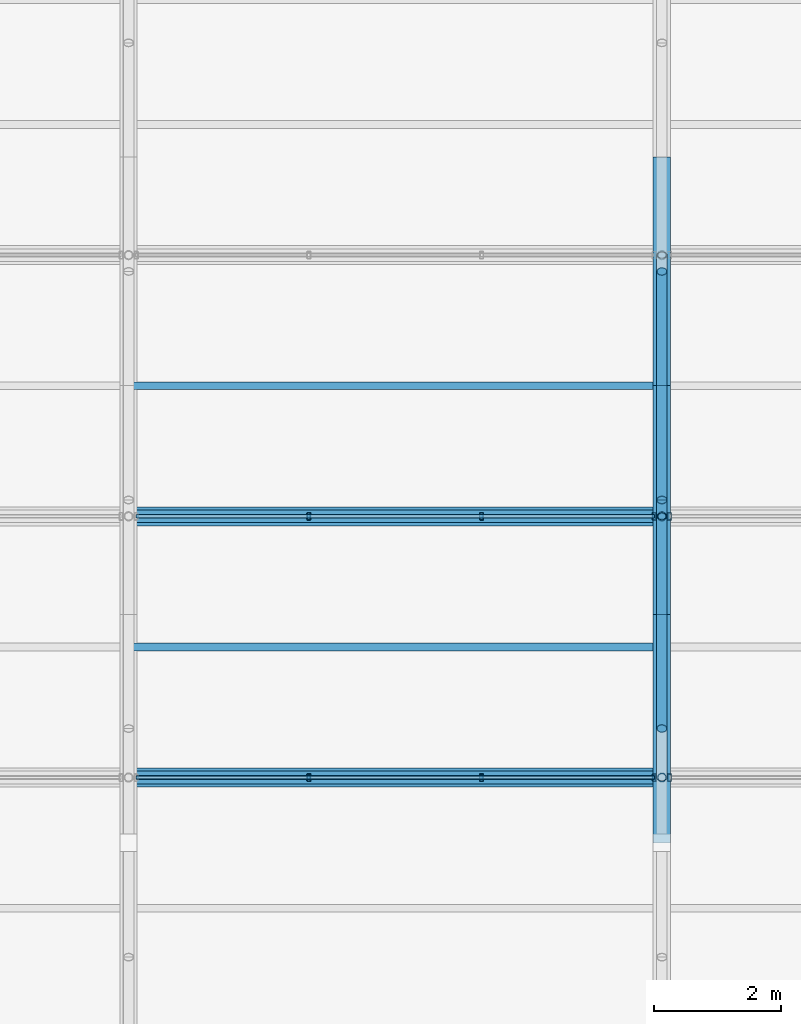
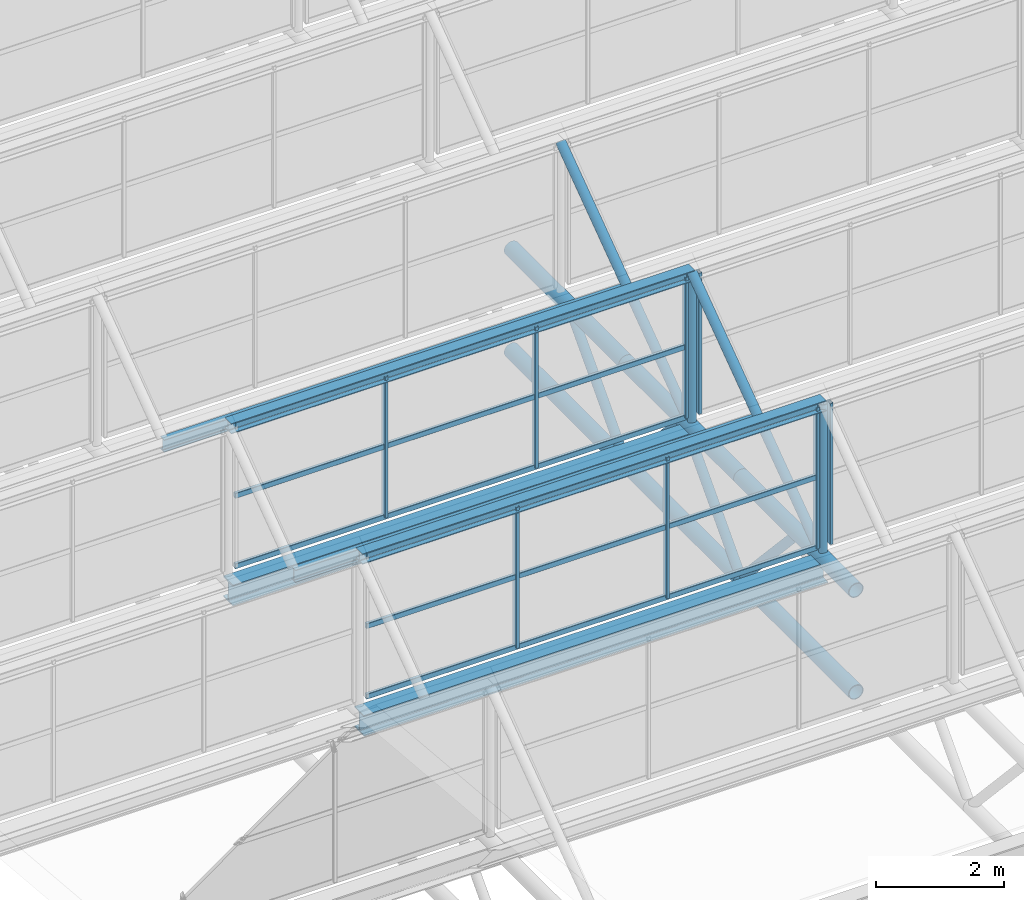
# One storey, part 62 of 134: 28 members, 6 beams, 4 elements without a shape of their own.
"""IFC4 building model written with IfcOpenShell, lengths in metres."""

from ifc_helpers import new_model, si_unit, derived_unit, direction, frame, origin, origin_2d, place, context, subcontext, project, spatial, hollow_rectangle, hollow_circle, i_section, extrude, material, material_profile, profile_set, type_object, element, aggregate, save


model = new_model("IFC4")

# Units and contexts
model_context = context("Model", 3, precision=1e-05, world=origin(), true_north=direction((0.0, 1.0)))
body_context = subcontext(model_context, "Body", "Model", "MODEL_VIEW")
ifc_project = project(units=[si_unit("LENGTHUNIT", "METRE"), si_unit("AREAUNIT", "SQUARE_METRE"), si_unit("VOLUMEUNIT", "CUBIC_METRE"), si_unit("PLANEANGLEUNIT", "RADIAN"), si_unit("MASSUNIT", "GRAM", prefix="KILO"), derived_unit("THERMALTRANSMITTANCEUNIT", [(si_unit("MASSUNIT", "GRAM", prefix="KILO"), 1), (si_unit("TIMEUNIT", "SECOND"), -3), (si_unit("THERMODYNAMICTEMPERATUREUNIT", "KELVIN"), -1)])], contexts=[model_context])

# Site, building, storey
site_placement = place(None, origin())
site = spatial("IfcSite", under=ifc_project, at=site_placement, CompositionType="ELEMENT")
building_placement = place(site_placement, origin())
building = spatial("IfcBuilding", under=site, at=building_placement, Name="Kharveza Railside Sports Centre", CompositionType="ELEMENT")
storey_placement = place(building_placement, frame((0.0, 0.0, 12.89990234375)))
storey = spatial("IfcBuildingStorey", under=building, at=storey_placement, Name="L03", CompositionType="ELEMENT", Elevation=12.89990234375)

# Beams
ifc_material_1 = material(Name="Steel S355J2", Category="steel")
ifc_material_profile_1 = material_profile(ifc_material_1, i_section(OverallWidth=0.300048828125, OverallDepth=0.39990234375, WebThickness=0.013427734375, FlangeThickness=0.02392578125, FilletRadius=0.027099609375, at=origin_2d()), Name="HEB 400")
ifc_profile_set_1 = profile_set([ifc_material_profile_1], Name="Steel S355J2")
beam_type_1 = type_object("IfcBeamType", Name="BM-G07", PredefinedType="T_BEAM", material=ifc_profile_set_1)
for number, where, z_axis, x_axis, name in (
    (1, (109.199951171875, 87.4287109375, 1.760009765625), (1.0, 0.0, 0.0), (0.0, 1.0, 0.0), "BM-V2SAW-VAL-3-3"),
    (2, (109.199951171875, 91.54296875, 1.760009765625), (1.0, 0.0, 0.0), (0.0, 1.0, 0.0), "BM-V2SAW-VAL-4-3"),
):
    element("IfcBeam", number, at=place(storey_placement, frame(where, z_axis=z_axis, x_axis=x_axis)), inside=storey, type_object=beam_type_1, Name=name, PredefinedType="T_BEAM", context=body_context, shape_type="SweptSolid", body=[
        extrude(i_section(OverallWidth=0.300048828125, OverallDepth=0.39990234375, WebThickness=0.013427734375, FlangeThickness=0.02392578125, FilletRadius=0.027099609375, at=origin_2d()), origin(), (0.0, 0.0, 1.0), 8.400146484375),
    ])
ifc_material_2 = material(Name="Steel S275JR", Category="steel")
ifc_material_profile_2 = material_profile(ifc_material_2, i_section(OverallWidth=0.1201171875, OverallDepth=0.239990234375, WebThickness=0.006103515625, FlangeThickness=0.009765625, FilletRadius=0.014892578125, at=origin_2d()), Name="IPE 240")
ifc_profile_set_2 = profile_set([ifc_material_profile_2], Name="Steel S275JR")
beam_type_2 = type_object("IfcBeamType", Name="BM-J01", PredefinedType="JOIST", material=ifc_profile_set_2)
for number, where, z_axis, x_axis, name in (
    (3, (109.199951171875, 89.485595703125, 3.320068359375), (1.0, 0.0, 0.0), (0.0, 1.0, 0.0), "BM-V2SAW-PUR-3-3"),
    (4, (109.199951171875, 93.60009765625, 3.320068359375), (1.0, 0.0, 0.0), (0.0, 1.0, 0.0), "BM-V2SAW-PUR-4-3"),
):
    element("IfcBeam", number, at=place(storey_placement, frame(where, z_axis=z_axis, x_axis=x_axis)), inside=storey, type_object=beam_type_2, Name=name, PredefinedType="JOIST", context=body_context, shape_type="SweptSolid", body=[
        extrude(i_section(OverallWidth=0.1201171875, OverallDepth=0.239990234375, WebThickness=0.006103515625, FlangeThickness=0.009765625, FilletRadius=0.014892578125, at=origin_2d()), origin(), (0.0, 0.0, 1.0), 8.400146484375),
    ])
ifc_material_profile_3 = material_profile(ifc_material_2, i_section(OverallWidth=0.199951171875, OverallDepth=0.199951171875, WebThickness=0.009033203125, FlangeThickness=0.014892578125, FilletRadius=0.01806640625, at=origin_2d()), Name="HEB 200")
ifc_profile_set_3 = profile_set([ifc_material_profile_3], Name="Steel S275JR")
beam_type_3 = type_object("IfcBeamType", Name="BM-J05", PredefinedType="JOIST", material=ifc_profile_set_3)
for number, where, z_axis, x_axis, name in (
    (5, (109.199951171875, 87.4287109375, 4.920166015625), (1.0, 0.0, 0.0), (0.0, 1.0, 0.0), "BM-V2SAW-RDG-2-3"),
    (6, (109.199951171875, 91.54296875, 4.920166015625), (1.0, 0.0, 0.0), (0.0, 1.0, 0.0), "BM-V2SAW-RDG-3-3"),
):
    element("IfcBeam", number, at=place(storey_placement, frame(where, z_axis=z_axis, x_axis=x_axis)), inside=storey, type_object=beam_type_3, Name=name, PredefinedType="JOIST", context=body_context, shape_type="SweptSolid", body=[
        extrude(i_section(OverallWidth=0.199951171875, OverallDepth=0.199951171875, WebThickness=0.009033203125, FlangeThickness=0.014892578125, FilletRadius=0.01806640625, at=origin_2d()), origin(), (0.0, 0.0, 1.0), 8.400146484375),
    ])

# Curtain wall, members
ifc_material_3 = material(Name="Low-E solar-control laminated glass", Category="glass")
curtain_wall_type = type_object("IfcCurtainWallType", Name="CW-NL02", PredefinedType="NOTDEFINED", material=ifc_material_3)
curtain_wall_1_placement = place(storey_placement, origin())
curtain_wall_1 = element("IfcCurtainWall", 7, at=curtain_wall_1_placement, inside=storey, type_object=curtain_wall_type, Name="CW-V2NL-2-3", PredefinedType="NOTDEFINED")
ifc_material_4 = material(Name="Anodised aluminium 6063-T6", Category="aluminium")
ifc_material_profile_4 = material_profile(ifc_material_4, hollow_rectangle(XDim=0.06005859375, YDim=0.1201171875, WallThickness=0.0048828125, InnerFilletRadius=0.0048828125, OuterFilletRadius=0.010009765625, at=origin_2d()), Name="RHS 60x120x5.0")
ifc_profile_set_4 = profile_set([ifc_material_profile_4], Name="Anodised aluminium 6063-T6")
member_type_1 = type_object("IfcMemberType", Name="CW-ML05", PredefinedType="MULLION", material=ifc_profile_set_4)
member_1_placement = place(storey_placement, frame((112.0400390625, 87.4287109375, 2.2001953125), z_axis=(0.0, 0.0, 1.0), x_axis=(1.0, 0.0, 0.0)))
member_1 = element("IfcMember", 8, at=member_1_placement, type_object=member_type_1, Name="CW-V2NL-2-3-ML2", PredefinedType="MULLION", context=body_context, shape_type="SweptSolid", body=[
    extrude(hollow_rectangle(XDim=0.06005859375, YDim=0.1201171875, WallThickness=0.0048828125, InnerFilletRadius=0.0048828125, OuterFilletRadius=0.010009765625, at=origin_2d()), origin(), (0.0, 0.0, 1.0), 2.699951171875),
])
member_2_placement = place(storey_placement, frame((114.760009765625, 87.4287109375, 2.2001953125), z_axis=(0.0, 0.0, 1.0), x_axis=(1.0, 0.0, 0.0)))
member_2 = element("IfcMember", 9, at=member_2_placement, type_object=member_type_1, Name="CW-V2NL-2-3-ML3", PredefinedType="MULLION", context=body_context, shape_type="SweptSolid", body=[
    extrude(hollow_rectangle(XDim=0.06005859375, YDim=0.1201171875, WallThickness=0.0048828125, InnerFilletRadius=0.0048828125, OuterFilletRadius=0.010009765625, at=origin_2d()), origin(), (0.0, 0.0, 1.0), 2.699951171875),
])
member_3_placement = place(storey_placement, frame((117.47998046875, 87.4287109375, 2.2001953125), z_axis=(0.0, 0.0, 1.0), x_axis=(1.0, 0.0, 0.0)))
member_3 = element("IfcMember", 10, at=member_3_placement, type_object=member_type_1, Name="CW-V2NL-2-3-ML4", PredefinedType="MULLION", context=body_context, shape_type="SweptSolid", body=[
    extrude(hollow_rectangle(XDim=0.06005859375, YDim=0.1201171875, WallThickness=0.0048828125, InnerFilletRadius=0.0048828125, OuterFilletRadius=0.010009765625, at=origin_2d()), origin(), (0.0, 0.0, 1.0), 2.699951171875),
])

# Curtain wall, member
curtain_wall_2_placement = place(storey_placement, origin())
curtain_wall_2 = element("IfcCurtainWall", 11, at=curtain_wall_2_placement, inside=storey, type_object=curtain_wall_type, Name="CW-V2NL-2-4", PredefinedType="NOTDEFINED")
member_4_placement = place(storey_placement, frame((117.719970703125, 87.4287109375, 2.2001953125), z_axis=(0.0, 0.0, 1.0), x_axis=(1.0, 0.0, 0.0)))
member_4 = element("IfcMember", 12, at=member_4_placement, type_object=member_type_1, Name="CW-V2NL-2-4-ML1", PredefinedType="MULLION", context=body_context, shape_type="SweptSolid", body=[
    extrude(hollow_rectangle(XDim=0.06005859375, YDim=0.1201171875, WallThickness=0.0048828125, InnerFilletRadius=0.0048828125, OuterFilletRadius=0.010009765625, at=origin_2d()), origin(), (0.0, 0.0, 1.0), 2.699951171875),
])
aggregate(curtain_wall_2, [member_4])

# Curtain wall, members
curtain_wall_3_placement = place(storey_placement, origin())
curtain_wall_3 = element("IfcCurtainWall", 13, at=curtain_wall_3_placement, inside=storey, type_object=curtain_wall_type, Name="CW-V2NL-3-3", PredefinedType="NOTDEFINED")
member_5_placement = place(storey_placement, frame((112.0400390625, 91.54296875, 2.2001953125), z_axis=(0.0, 0.0, 1.0), x_axis=(1.0, 0.0, 0.0)))
member_5 = element("IfcMember", 14, at=member_5_placement, type_object=member_type_1, Name="CW-V2NL-3-3-ML2", PredefinedType="MULLION", context=body_context, shape_type="SweptSolid", body=[
    extrude(hollow_rectangle(XDim=0.06005859375, YDim=0.1201171875, WallThickness=0.0048828125, InnerFilletRadius=0.0048828125, OuterFilletRadius=0.010009765625, at=origin_2d()), origin(), (0.0, 0.0, 1.0), 2.699951171875),
])
member_6_placement = place(storey_placement, frame((114.760009765625, 91.54296875, 2.2001953125), z_axis=(0.0, 0.0, 1.0), x_axis=(1.0, 0.0, 0.0)))
member_6 = element("IfcMember", 15, at=member_6_placement, type_object=member_type_1, Name="CW-V2NL-3-3-ML3", PredefinedType="MULLION", context=body_context, shape_type="SweptSolid", body=[
    extrude(hollow_rectangle(XDim=0.06005859375, YDim=0.1201171875, WallThickness=0.0048828125, InnerFilletRadius=0.0048828125, OuterFilletRadius=0.010009765625, at=origin_2d()), origin(), (0.0, 0.0, 1.0), 2.699951171875),
])
member_7_placement = place(storey_placement, frame((117.47998046875, 91.54296875, 2.2001953125), z_axis=(0.0, 0.0, 1.0), x_axis=(1.0, 0.0, 0.0)))
member_7 = element("IfcMember", 16, at=member_7_placement, type_object=member_type_1, Name="CW-V2NL-3-3-ML4", PredefinedType="MULLION", context=body_context, shape_type="SweptSolid", body=[
    extrude(hollow_rectangle(XDim=0.06005859375, YDim=0.1201171875, WallThickness=0.0048828125, InnerFilletRadius=0.0048828125, OuterFilletRadius=0.010009765625, at=origin_2d()), origin(), (0.0, 0.0, 1.0), 2.699951171875),
])

# Curtain wall, member
curtain_wall_4_placement = place(storey_placement, origin())
curtain_wall_4 = element("IfcCurtainWall", 17, at=curtain_wall_4_placement, inside=storey, type_object=curtain_wall_type, Name="CW-V2NL-3-4", PredefinedType="NOTDEFINED")
member_8_placement = place(storey_placement, frame((117.719970703125, 91.54296875, 2.2001953125), z_axis=(0.0, 0.0, 1.0), x_axis=(1.0, 0.0, 0.0)))
member_8 = element("IfcMember", 18, at=member_8_placement, type_object=member_type_1, Name="CW-V2NL-3-4-ML1", PredefinedType="MULLION", context=body_context, shape_type="SweptSolid", body=[
    extrude(hollow_rectangle(XDim=0.06005859375, YDim=0.1201171875, WallThickness=0.0048828125, InnerFilletRadius=0.0048828125, OuterFilletRadius=0.010009765625, at=origin_2d()), origin(), (0.0, 0.0, 1.0), 2.699951171875),
])
aggregate(curtain_wall_4, [member_8])

# Member
ifc_material_profile_5 = material_profile(ifc_material_4, hollow_rectangle(XDim=0.06005859375, YDim=0.10009765625, WallThickness=0.00390625, InnerFilletRadius=0.00390625, OuterFilletRadius=0.008056640625, at=origin_2d()), Name="RHS 60x100x4.0")
ifc_profile_set_5 = profile_set([ifc_material_profile_5], Name="Anodised aluminium 6063-T6")
member_type_2 = type_object("IfcMemberType", Name="CW-TR05", PredefinedType="USERDEFINED", material=ifc_profile_set_5)
member_9_placement = place(storey_placement, frame((109.320068359375, 87.4287109375, 2.2001953125), z_axis=(1.0, 0.0, 0.0), x_axis=(0.0, 1.0, 0.0)))
member_9 = element("IfcMember", 19, at=member_9_placement, type_object=member_type_2, Name="CW-V2NL-2-3-TR1", ObjectType="TRANSOM", PredefinedType="USERDEFINED", context=body_context, shape_type="SweptSolid", body=[
    extrude(hollow_rectangle(XDim=0.06005859375, YDim=0.10009765625, WallThickness=0.00390625, InnerFilletRadius=0.00390625, OuterFilletRadius=0.008056640625, at=origin_2d()), origin(), (0.0, 0.0, 1.0), 8.159912109375),
])

member_10_placement = place(storey_placement, frame((109.320068359375, 87.4287109375, 3.550048828125), z_axis=(1.0, 0.0, 0.0), x_axis=(0.0, 1.0, 0.0)))
member_10 = element("IfcMember", 20, at=member_10_placement, type_object=member_type_2, Name="CW-V2NL-2-3-TR2", ObjectType="TRANSOM", PredefinedType="USERDEFINED", context=body_context, shape_type="SweptSolid", body=[
    extrude(hollow_rectangle(XDim=0.06005859375, YDim=0.10009765625, WallThickness=0.00390625, InnerFilletRadius=0.00390625, OuterFilletRadius=0.008056640625, at=origin_2d()), origin(), (0.0, 0.0, 1.0), 8.159912109375),
])

member_11_placement = place(storey_placement, frame((109.320068359375, 87.4287109375, 4.900146484375), z_axis=(1.0, 0.0, 0.0), x_axis=(0.0, 1.0, 0.0)))
member_11 = element("IfcMember", 21, at=member_11_placement, type_object=member_type_2, Name="CW-V2NL-2-3-TR3", ObjectType="TRANSOM", PredefinedType="USERDEFINED", context=body_context, shape_type="SweptSolid", body=[
    extrude(hollow_rectangle(XDim=0.06005859375, YDim=0.10009765625, WallThickness=0.00390625, InnerFilletRadius=0.00390625, OuterFilletRadius=0.008056640625, at=origin_2d()), origin(), (0.0, 0.0, 1.0), 8.159912109375),
])

aggregate(curtain_wall_1, [member_1, member_2, member_3, member_9, member_10, member_11])

member_12_placement = place(storey_placement, frame((109.320068359375, 91.54296875, 2.2001953125), z_axis=(1.0, 0.0, 0.0), x_axis=(0.0, 1.0, 0.0)))
member_12 = element("IfcMember", 22, at=member_12_placement, type_object=member_type_2, Name="CW-V2NL-3-3-TR1", ObjectType="TRANSOM", PredefinedType="USERDEFINED", context=body_context, shape_type="SweptSolid", body=[
    extrude(hollow_rectangle(XDim=0.06005859375, YDim=0.10009765625, WallThickness=0.00390625, InnerFilletRadius=0.00390625, OuterFilletRadius=0.008056640625, at=origin_2d()), origin(), (0.0, 0.0, 1.0), 8.159912109375),
])

member_13_placement = place(storey_placement, frame((109.320068359375, 91.54296875, 3.550048828125), z_axis=(1.0, 0.0, 0.0), x_axis=(0.0, 1.0, 0.0)))
member_13 = element("IfcMember", 23, at=member_13_placement, type_object=member_type_2, Name="CW-V2NL-3-3-TR2", ObjectType="TRANSOM", PredefinedType="USERDEFINED", context=body_context, shape_type="SweptSolid", body=[
    extrude(hollow_rectangle(XDim=0.06005859375, YDim=0.10009765625, WallThickness=0.00390625, InnerFilletRadius=0.00390625, OuterFilletRadius=0.008056640625, at=origin_2d()), origin(), (0.0, 0.0, 1.0), 8.159912109375),
])

member_14_placement = place(storey_placement, frame((109.320068359375, 91.54296875, 4.900146484375), z_axis=(1.0, 0.0, 0.0), x_axis=(0.0, 1.0, 0.0)))
member_14 = element("IfcMember", 24, at=member_14_placement, type_object=member_type_2, Name="CW-V2NL-3-3-TR3", ObjectType="TRANSOM", PredefinedType="USERDEFINED", context=body_context, shape_type="SweptSolid", body=[
    extrude(hollow_rectangle(XDim=0.06005859375, YDim=0.10009765625, WallThickness=0.00390625, InnerFilletRadius=0.00390625, OuterFilletRadius=0.008056640625, at=origin_2d()), origin(), (0.0, 0.0, 1.0), 8.159912109375),
])

aggregate(curtain_wall_3, [member_5, member_6, member_7, member_12, member_13, member_14])

# Members
ifc_material_profile_6 = material_profile(ifc_material_1, hollow_circle(Radius=0.136474609375, WallThickness=0.01416015625, at=origin_2d()), Name="CHS 273.0x14.2")
ifc_profile_set_6 = profile_set([ifc_material_profile_6], Name="Steel S355J2")
member_type_3 = type_object("IfcMemberType", Name="MB-CH03", PredefinedType="CHORD", material=ifc_profile_set_6)
for number, where, z_axis, x_axis, name in (
    (25, (117.60009765625, 86.39990234375, 0.0), (0.0, 1.0, 0.0), (-1.0, 0.0, 0.0), "MB-V2TR-BC-4-3"),
    (26, (117.60009765625, 86.39990234375, 1.9501953125), (0.0, 1.0, 0.0), (-1.0, 0.0, 0.0), "MB-V2TR-TC-4-3"),
    (27, (117.60009765625, 90.0, 0.0), (0.0, 1.0, 0.0), (-1.0, 0.0, 0.0), "MB-V2TR-BC-4-4"),
    (28, (117.60009765625, 90.0, 1.9501953125), (0.0, 1.0, 0.0), (-1.0, 0.0, 0.0), "MB-V2TR-TC-4-4"),
):
    element("IfcMember", number, at=place(storey_placement, frame(where, z_axis=z_axis, x_axis=x_axis)), inside=storey, type_object=member_type_3, Name=name, PredefinedType="CHORD", context=body_context, shape_type="SweptSolid", body=[
        extrude(hollow_circle(Radius=0.136474609375, WallThickness=0.01416015625, at=origin_2d()), origin(), (0.0, 0.0, 1.0), 3.60009765625),
    ])
for number, where, z_axis, x_axis, name in (
    (29, (117.60009765625, 93.60009765625, 0.0), (0.0, 1.0, 0.0), (-1.0, 0.0, 0.0), "MB-V2TR-BC-4-5"),
    (30, (117.60009765625, 93.60009765625, 1.9501953125), (0.0, 1.0, 0.0), (-1.0, 0.0, 0.0), "MB-V2TR-TC-4-5"),
):
    element("IfcMember", number, at=place(storey_placement, frame(where, z_axis=z_axis, x_axis=x_axis)), inside=storey, type_object=member_type_3, Name=name, PredefinedType="CHORD", context=body_context, shape_type="SweptSolid", body=[
        extrude(hollow_circle(Radius=0.136474609375, WallThickness=0.01416015625, at=origin_2d()), origin(), (0.0, 0.0, 1.0), 3.599853515625),
    ])
ifc_material_profile_7 = material_profile(ifc_material_1, hollow_circle(Radius=0.084228515625, WallThickness=0.010009765625, at=origin_2d()), Name="CHS 168.3x10.0")
ifc_profile_set_7 = profile_set([ifc_material_profile_7], Name="Steel S355J2")
member_type_4 = type_object("IfcMemberType", Name="MB-ST03", PredefinedType="STRUT", material=ifc_profile_set_7)
for number, where, z_axis, x_axis, name in (
    (31, (117.60009765625, 88.199951171875, 1.9501953125), (0.0, 0.67825335715, -0.734828131956), (-1.0, 0.0, 0.0), "MB-V2TR-D2-4-3"),
    (32, (117.60009765625, 90.0, 0.0), (0.0, 0.67825335715, 0.734828131956), (-1.0, 0.0, 0.0), "MB-V2TR-D1-4-4"),
    (33, (117.60009765625, 91.800048828125, 1.9501953125), (0.0, 0.67825335715, -0.734828131956), (-1.0, 0.0, 0.0), "MB-V2TR-D2-4-4"),
):
    element("IfcMember", number, at=place(storey_placement, frame(where, z_axis=z_axis, x_axis=x_axis)), inside=storey, type_object=member_type_4, Name=name, PredefinedType="STRUT", context=body_context, shape_type="SweptSolid", body=[
        extrude(hollow_circle(Radius=0.084228515625, WallThickness=0.010009765625, at=origin_2d()), origin(), (0.0, 0.0, 1.0), 2.654052734375),
    ])
member_15_placement = place(storey_placement, frame((117.60009765625, 93.60009765625, 0.0), z_axis=(0.0, 0.678203679629, 0.734873981671), x_axis=(-1.0, 0.0, 0.0)))
element("IfcMember", 34, at=member_15_placement, inside=storey, type_object=member_type_4, Name="MB-V2TR-D1-4-5", PredefinedType="STRUT", context=body_context, shape_type="SweptSolid", body=[
    extrude(hollow_circle(Radius=0.084228515625, WallThickness=0.010009765625, at=origin_2d()), origin(), (0.0, 0.0, 1.0), 2.65380859375),
])
member_16_placement = place(storey_placement, frame((117.60009765625, 87.4287109375, 1.9501953125), z_axis=(0.0, 0.810813691418, 0.585304329225), x_axis=(-1.0, 0.0, 0.0)))
element("IfcMember", 35, at=member_16_placement, inside=storey, type_object=member_type_4, Name="MB-V2SAW-RFT-3-4", PredefinedType="STRUT", context=body_context, shape_type="SweptSolid", body=[
    extrude(hollow_circle(Radius=0.084228515625, WallThickness=0.010009765625, at=origin_2d()), origin(), (0.0, 0.0, 1.0), 5.07421875),
])
member_17_placement = place(storey_placement, frame((117.60009765625, 91.54296875, 1.9501953125), z_axis=(0.0, 0.810797207573, 0.585327163381), x_axis=(-1.0, 0.0, 0.0)))
element("IfcMember", 36, at=member_17_placement, inside=storey, type_object=member_type_4, Name="MB-V2SAW-RFT-4-4", PredefinedType="STRUT", context=body_context, shape_type="SweptSolid", body=[
    extrude(hollow_circle(Radius=0.084228515625, WallThickness=0.010009765625, at=origin_2d()), origin(), (0.0, 0.0, 1.0), 5.073974609375),
])
ifc_material_profile_8 = material_profile(ifc_material_1, hollow_circle(Radius=0.06982421875, WallThickness=0.008056640625, at=origin_2d()), Name="CHS 139.7x8.0")
ifc_profile_set_8 = profile_set([ifc_material_profile_8], Name="Steel S355J2")
member_type_5 = type_object("IfcMemberType", Name="MB-ST04", PredefinedType="STRUT", material=ifc_profile_set_8)
for number, where, z_axis, x_axis, name in (
    (37, (117.60009765625, 87.4287109375, 1.9501953125), (0.0, 0.0, 1.0), (1.0, 0.0, 0.0), "MB-V2SAW-PST-2-4"),
    (38, (117.60009765625, 91.54296875, 1.9501953125), (0.0, 0.0, 1.0), (1.0, 0.0, 0.0), "MB-V2SAW-PST-3-4"),
):
    element("IfcMember", number, at=place(storey_placement, frame(where, z_axis=z_axis, x_axis=x_axis)), inside=storey, type_object=member_type_5, Name=name, PredefinedType="STRUT", context=body_context, shape_type="SweptSolid", body=[
        extrude(hollow_circle(Radius=0.06982421875, WallThickness=0.008056640625, at=origin_2d()), origin(), (0.0, 0.0, 1.0), 2.969970703125),
    ])

save(model, "model.ifc")
